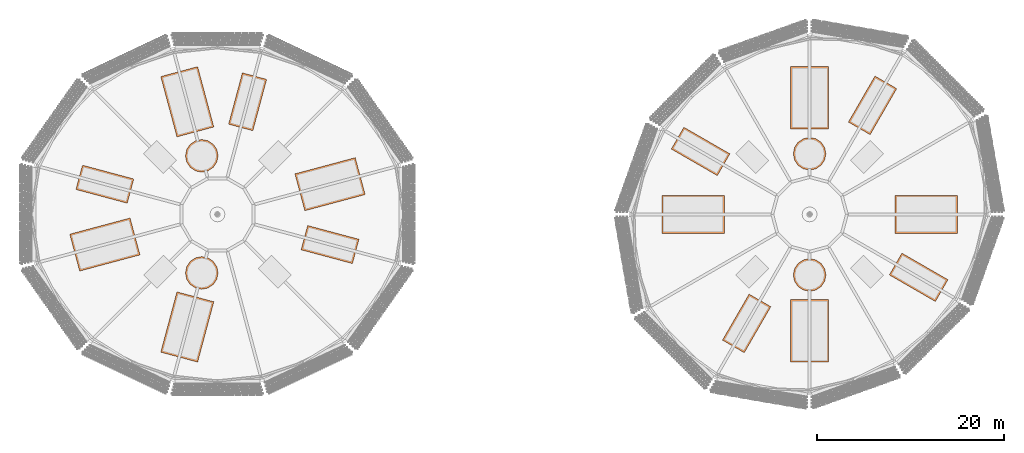
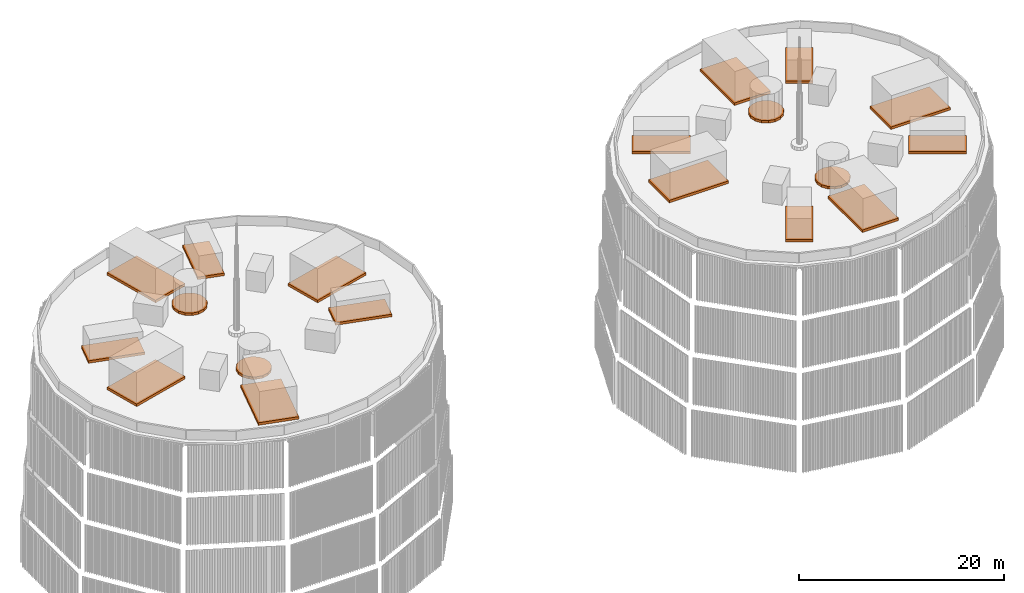
# One storey, part 24 of 24: 19 proxies.
"""IFC4 building model written with IfcOpenShell, lengths in metres."""

import ifcopenshell
import ifcopenshell.guid

model = None  # the IFC model being written
_history = None  # IfcOwnerHistory: only IFC2X3 demands one
_inside = {}  # id of a spatial element -> (the spatial element, [elements in it])
_under = {}  # id of a project, library or spatial element -> (it, [spatial elements below it])
_declared = {}  # id of a project -> (the project, [libraries it declares])
_typed = {}  # id of a type object -> (the type object, [elements of that type])
_made_of = {}  # id of a material, layer set ... -> (it, [elements and type objects made of it])


def new_model(schema):
    """Start an empty IFC model of exactly this schema.

    Asked for "IFC4X3", IfcOpenShell would pick the latest addendum, in which some entities
    have other attributes; the version numbers below select the first issue.
    IFC2X3 requires an IfcOwnerHistory on every rooted entity: one is made here for all.
    """
    global model, _history
    if schema == "IFC4X3":
        model = ifcopenshell.file(schema_version=(4, 3, 0, 0))
    else:
        model = ifcopenshell.file(schema=schema)
    _inside.clear()
    _under.clear()
    _declared.clear()
    _typed.clear()
    _made_of.clear()
    _history = None
    if model.schema == "IFC2X3":
        org = make("IfcOrganization", Name="unknown")
        user = make(
            "IfcPersonAndOrganization",
            ThePerson=make("IfcPerson", FamilyName="unknown"),
            TheOrganization=org,
        )
        app = make(
            "IfcApplication",
            ApplicationDeveloper=org,
            Version="unknown",
            ApplicationFullName="unknown",
            ApplicationIdentifier="unknown",
        )
        _history = make(
            "IfcOwnerHistory",
            OwningUser=user,
            OwningApplication=app,
            ChangeAction="ADDED",
            CreationDate=0,
        )
    return model


def make(cls, **values):
    """One entity of the class cls with the attributes given. An attribute that is None is left unset."""
    return model.create_entity(
        cls, **{name: value for name, value in values.items() if value is not None}
    )


def rooted(cls, **values):
    """An entity with a GlobalId (a new one), such as an element, a storey or a relation."""
    return make(cls, GlobalId=ifcopenshell.guid.new(), OwnerHistory=_history, **values)


def si_unit(unit_type, name, prefix=None):
    """IfcSIUnit, for example si_unit("LENGTHUNIT", "METRE", prefix="MILLI")."""
    return make("IfcSIUnit", UnitType=unit_type, Prefix=prefix, Name=name)


def assignment(units):
    """IfcUnitAssignment: the units of a project."""
    return None if units is None else make("IfcUnitAssignment", Units=units)


def point(xyz):
    """IfcCartesianPoint."""
    return None if xyz is None else make("IfcCartesianPoint", Coordinates=xyz)


def direction(xyz):
    """IfcDirection."""
    return None if xyz is None else make("IfcDirection", DirectionRatios=xyz)


def frame(location, z_axis=None, x_axis=None):
    """IfcAxis2Placement3D, a coordinate frame: its origin and axes. An axis left out is left unset."""
    return make(
        "IfcAxis2Placement3D",
        Location=point(location),
        Axis=direction(z_axis),
        RefDirection=direction(x_axis),
    )


def origin():
    """The frame at (0, 0, 0) with its axes left unset."""
    return frame((0.0, 0.0, 0.0))


def place(relative_to, where):
    """IfcLocalPlacement: puts the frame where relative to a parent placement (None: the world)."""
    return make(
        "IfcLocalPlacement", PlacementRelTo=relative_to, RelativePlacement=where
    )


def context(
    kind, dimensions, precision=None, world=None, true_north=None, identifier=None
):
    """IfcGeometricRepresentationContext, for example the 3D "Model" context."""
    return make(
        "IfcGeometricRepresentationContext",
        ContextIdentifier=identifier,
        ContextType=kind,
        CoordinateSpaceDimension=dimensions,
        Precision=precision,
        WorldCoordinateSystem=world,
        TrueNorth=true_north,
    )


def subcontext(parent, identifier, kind, view, scale=None):
    """IfcGeometricRepresentationSubContext, for example "Body" below "Model"."""
    return make(
        "IfcGeometricRepresentationSubContext",
        ContextIdentifier=identifier,
        ContextType=kind,
        ParentContext=parent,
        TargetScale=scale,
        TargetView=view,
    )


def project(units=None, contexts=None):
    """IfcProject with its units and contexts."""
    return rooted(
        "IfcProject",
        Name="project",
        RepresentationContexts=contexts,
        UnitsInContext=assignment(units),
    )


def spatial(cls, under=None, at=None, **own):
    """A site, building, storey or space (cls), placed at a placement, below another one or the project."""
    s = rooted(cls, ObjectPlacement=at, **own)
    if under is not None:
        _under.setdefault(under.id(), (under, []))[1].append(s)
    return s


def polyline(points):
    """IfcPolyline through the points."""
    return make("IfcPolyline", Points=[point(p) for p in points])


def outline(outer, holes=None, kind="AREA"):
    """IfcArbitraryClosedProfileDef: a profile drawn as a closed curve; with holes, ...WithVoids."""
    if holes is None:
        return make("IfcArbitraryClosedProfileDef", ProfileType=kind, OuterCurve=outer)
    return make(
        "IfcArbitraryProfileDefWithVoids",
        ProfileType=kind,
        OuterCurve=outer,
        InnerCurves=holes,
    )


def extrude(swept, where, along, depth):
    """IfcExtrudedAreaSolid: the profile swept, set in the frame where, extruded along a direction by depth."""
    return make(
        "IfcExtrudedAreaSolid",
        SweptArea=swept,
        Position=where,
        ExtrudedDirection=direction(along),
        Depth=depth,
    )


def shape(context_of_items, identifier, shape_type, items):
    """IfcShapeRepresentation: the items that make up one representation, for example the "Body"."""
    return make(
        "IfcShapeRepresentation",
        ContextOfItems=context_of_items,
        RepresentationIdentifier=identifier,
        RepresentationType=shape_type,
        Items=items,
    )


def material(Name=None, Category=None):
    """IfcMaterial."""
    return make("IfcMaterial", Name=Name, Category=Category)


def made_of(thing, what):
    """Note that an element or type object is made of a material, layer set ...; save() writes the relation."""
    if what is not None:
        _made_of.setdefault(what.id(), (what, []))[1].append(thing)
    return thing


def type_object(cls, material=None, **own):
    """A type object (cls), such as IfcWallType, which elements share."""
    return made_of(rooted(cls, **own), material)


def element(
    cls,
    number,
    at=None,
    inside=None,
    cuts=None,
    type_object=None,
    material=None,
    context=None,
    identifier="Body",
    shape_type=None,
    held_by="IfcProductDefinitionShape",
    body=None,
    shapes=None,
    **own,
):
    """One element of the class cls, such as IfcWall. Its Tag is "e" and its number.

    at: its placement. inside: the storey or other place that contains it. cuts: it is an
    opening in that element (IfcRelVoidsElement). A single representation is given by context,
    identifier, shape_type and body (its items); several are given by shapes. held_by: the class
    of the entity that holds the representations. save() writes the other relations.
    """
    e = rooted(cls, Tag="e%d" % number, ObjectPlacement=at, **own)
    if body is not None:
        shapes = [shape(context, identifier, shape_type, body)]
    if shapes is not None:
        e.Representation = make(held_by, Representations=shapes)
    if inside is not None:
        _inside.setdefault(inside.id(), (inside, []))[1].append(e)
    if cuts is not None:
        rooted(
            "IfcRelVoidsElement", RelatingBuildingElement=cuts, RelatedOpeningElement=e
        )
    if type_object is not None:
        _typed.setdefault(type_object.id(), (type_object, []))[1].append(e)
    return made_of(e, material)


def aggregate(whole, parts):
    """IfcRelAggregates: a whole, such as a stair, and the parts it consists of."""
    return rooted("IfcRelAggregates", RelatingObject=whole, RelatedObjects=parts)


def save(model, path):
    """Write the relations noted so far, then the file.

    IfcRelAggregates (storeys below a building ...), IfcRelContainedInSpatialStructure (elements
    in a storey), IfcRelDefinesByType, IfcRelAssociatesMaterial and IfcRelDeclares: one each for
    every whole, place, type object, material and project.
    """
    for whole, parts in _under.values():
        aggregate(whole, parts)
    for where, things in _inside.values():
        rooted(
            "IfcRelContainedInSpatialStructure",
            RelatedElements=things,
            RelatingStructure=where,
        )
    for kind, things in _typed.values():
        rooted("IfcRelDefinesByType", RelatedObjects=things, RelatingType=kind)
    for what, things in _made_of.values():
        rooted("IfcRelAssociatesMaterial", RelatedObjects=things, RelatingMaterial=what)
    for by, libraries in _declared.values():
        rooted("IfcRelDeclares", RelatingContext=by, RelatedDefinitions=libraries)
    model.write(path)


model = new_model("IFC4")

# Units and contexts
model_context = context("Model", 3, precision=1e-05, world=origin(), true_north=direction((0.0, 1.0)))
body_context = subcontext(model_context, "Body", "Model", "MODEL_VIEW")
ifc_project = project(units=[si_unit("LENGTHUNIT", "METRE"), si_unit("AREAUNIT", "SQUARE_METRE"), si_unit("VOLUMEUNIT", "CUBIC_METRE"), si_unit("PLANEANGLEUNIT", "RADIAN"), si_unit("MASSUNIT", "GRAM", prefix="KILO")], contexts=[model_context])

# Site, building, storey
site_placement = place(None, origin())
site = spatial("IfcSite", under=ifc_project, at=site_placement, CompositionType="ELEMENT")
building_placement = place(site_placement, origin())
building = spatial("IfcBuilding", under=site, at=building_placement, Name="Rimbun Link Towers", CompositionType="ELEMENT")
storey_placement = place(building_placement, frame((0.0, 0.0, 294.89990234375)))
storey = spatial("IfcBuildingStorey", under=building, at=storey_placement, Name="Roof cap", CompositionType="ELEMENT", Elevation=294.89990234375)

# Proxies
ifc_material = material(Name="Concrete C40/50", Category="concrete")
building_element_proxy_type = type_object("IfcBuildingElementProxyType", Name="PLANT PLINTH concrete 300", PredefinedType="USERDEFINED", material=ifc_material)
proxy_1_placement = place(storey_placement, frame((0.0, 0.0, 0.7001953125)))
element("IfcBuildingElementProxy", 1, at=proxy_1_placement, inside=storey, type_object=building_element_proxy_type, Name="ROOF PLANT plinth", ObjectType="PLANT PLINTH", PredefinedType="USERDEFINED", context=body_context, shape_type="SweptSolid", body=[
    extrude(outline(polyline([(-32.137939453125, 9.368896484375), (-33.8720703125, 15.840576171875), (-37.83251953125, 14.779296875), (-36.098388671875, 8.3076171875), (-32.137939453125, 9.368896484375)])), origin(), (0.0, 0.0, 1.0), 0.2998046875),
])
proxy_2_placement = place(storey_placement, frame((0.0, 0.0, 0.7001953125)))
element("IfcBuildingElementProxy", 2, at=proxy_2_placement, inside=storey, type_object=building_element_proxy_type, Name="ROOF PLANT plinth", ObjectType="PLANT PLINTH", PredefinedType="USERDEFINED", context=body_context, shape_type="SweptSolid", body=[
    extrude(outline(polyline([(-27.948486328125, 8.9716796875), (-26.47314453125, 14.4775390625), (-29.0810546875, 15.17626953125), (-30.556396484375, 9.670654296875), (-27.948486328125, 8.9716796875)])), origin(), (0.0, 0.0, 1.0), 0.2998046875),
])
proxy_3_placement = place(storey_placement, frame((0.0, 0.0, 0.7001953125)))
element("IfcBuildingElementProxy", 3, at=proxy_3_placement, inside=storey, type_object=building_element_proxy_type, Name="ROOF PLANT plinth", ObjectType="PLANT PLINTH", PredefinedType="USERDEFINED", context=body_context, shape_type="SweptSolid", body=[
    extrude(outline(polyline([(-31.682373046875, 6.278564453125), (-31.8154296875, 6.9482421875), (-32.19482421875, 7.51611328125), (-32.7626953125, 7.895263671875), (-33.432373046875, 8.028564453125), (-34.10205078125, 7.895263671875), (-34.669921875, 7.51611328125), (-35.049072265625, 6.9482421875), (-35.182373046875, 6.278564453125), (-35.049072265625, 5.60888671875), (-34.669921875, 5.041015625), (-34.10205078125, 4.66162109375), (-33.432373046875, 4.528564453125), (-32.7626953125, 4.66162109375), (-32.19482421875, 5.041015625), (-31.8154296875, 5.60888671875), (-31.682373046875, 6.278564453125)])), origin(), (0.0, 0.0, 1.0), 0.2998046875),
])
proxy_4_placement = place(storey_placement, frame((0.0, 0.0, 0.7001953125)))
element("IfcBuildingElementProxy", 4, at=proxy_4_placement, inside=storey, type_object=building_element_proxy_type, Name="ROOF PLANT plinth", ObjectType="PLANT PLINTH", PredefinedType="USERDEFINED", context=body_context, shape_type="SweptSolid", body=[
    extrude(outline(polyline([(-41.118896484375, -0.387939453125), (-47.590576171875, -2.1220703125), (-46.529296875, -6.08251953125), (-40.0576171875, -4.348388671875), (-41.118896484375, -0.387939453125)])), origin(), (0.0, 0.0, 1.0), 0.2998046875),
])
proxy_5_placement = place(storey_placement, frame((0.0, 0.0, 0.7001953125)))
element("IfcBuildingElementProxy", 5, at=proxy_5_placement, inside=storey, type_object=building_element_proxy_type, Name="ROOF PLANT plinth", ObjectType="PLANT PLINTH", PredefinedType="USERDEFINED", context=body_context, shape_type="SweptSolid", body=[
    extrude(outline(polyline([(-40.7216796875, 3.801513671875), (-46.2275390625, 5.27685546875), (-46.92626953125, 2.6689453125), (-41.420654296875, 1.193603515625), (-40.7216796875, 3.801513671875)])), origin(), (0.0, 0.0, 1.0), 0.2998046875),
])
proxy_6_placement = place(storey_placement, frame((0.0, 0.0, 0.7001953125)))
element("IfcBuildingElementProxy", 6, at=proxy_6_placement, inside=storey, type_object=building_element_proxy_type, Name="ROOF PLANT plinth", ObjectType="PLANT PLINTH", PredefinedType="USERDEFINED", context=body_context, shape_type="SweptSolid", body=[
    extrude(outline(polyline([(-36.098388671875, -8.3076171875), (-37.83251953125, -14.779296875), (-33.8720703125, -15.840576171875), (-32.137939453125, -9.368896484375), (-36.098388671875, -8.3076171875)])), origin(), (0.0, 0.0, 1.0), 0.2998046875),
])
proxy_7_placement = place(storey_placement, frame((0.0, 0.0, 0.7001953125)))
element("IfcBuildingElementProxy", 7, at=proxy_7_placement, inside=storey, type_object=building_element_proxy_type, Name="ROOF PLANT plinth", ObjectType="PLANT PLINTH", PredefinedType="USERDEFINED", context=body_context, shape_type="SweptSolid", body=[
    extrude(outline(polyline([(-31.682373046875, -6.278564453125), (-31.8154296875, -5.60888671875), (-32.19482421875, -5.041015625), (-32.7626953125, -4.66162109375), (-33.432373046875, -4.528564453125), (-34.10205078125, -4.66162109375), (-34.669921875, -5.041015625), (-35.049072265625, -5.60888671875), (-35.182373046875, -6.278564453125), (-35.049072265625, -6.9482421875), (-34.669921875, -7.51611328125), (-34.10205078125, -7.895263671875), (-33.432373046875, -8.028564453125), (-32.7626953125, -7.895263671875), (-32.19482421875, -7.51611328125), (-31.8154296875, -6.9482421875), (-31.682373046875, -6.278564453125)])), origin(), (0.0, 0.0, 1.0), 0.2998046875),
])
proxy_8_placement = place(storey_placement, frame((0.0, 0.0, 0.7001953125)))
element("IfcBuildingElementProxy", 8, at=proxy_8_placement, inside=storey, type_object=building_element_proxy_type, Name="ROOF PLANT plinth", ObjectType="PLANT PLINTH", PredefinedType="USERDEFINED", context=body_context, shape_type="SweptSolid", body=[
    extrude(outline(polyline([(-22.381103515625, 0.387939453125), (-15.909423828125, 2.1220703125), (-16.970703125, 6.08251953125), (-23.4423828125, 4.348388671875), (-22.381103515625, 0.387939453125)])), origin(), (0.0, 0.0, 1.0), 0.2998046875),
])
proxy_9_placement = place(storey_placement, frame((0.0, 0.0, 0.7001953125)))
element("IfcBuildingElementProxy", 9, at=proxy_9_placement, inside=storey, type_object=building_element_proxy_type, Name="ROOF PLANT plinth", ObjectType="PLANT PLINTH", PredefinedType="USERDEFINED", context=body_context, shape_type="SweptSolid", body=[
    extrude(outline(polyline([(-22.7783203125, -3.801513671875), (-17.2724609375, -5.27685546875), (-16.57373046875, -2.6689453125), (-22.079345703125, -1.193603515625), (-22.7783203125, -3.801513671875)])), origin(), (0.0, 0.0, 1.0), 0.2998046875),
])
proxy_10_placement = place(storey_placement, frame((0.0, 0.0, 0.7001953125)))
element("IfcBuildingElementProxy", 10, at=proxy_10_placement, inside=storey, type_object=building_element_proxy_type, Name="ROOF PLANT plinth", ObjectType="PLANT PLINTH", PredefinedType="USERDEFINED", context=body_context, shape_type="SweptSolid", body=[
    extrude(outline(polyline([(33.800048828125, 9.14990234375), (33.800048828125, 15.85009765625), (29.699951171875, 15.85009765625), (29.699951171875, 9.14990234375), (33.800048828125, 9.14990234375)])), origin(), (0.0, 0.0, 1.0), 0.2998046875),
])
proxy_11_placement = place(storey_placement, frame((0.0, 0.0, 0.7001953125)))
element("IfcBuildingElementProxy", 11, at=proxy_11_placement, inside=storey, type_object=building_element_proxy_type, Name="ROOF PLANT plinth", ObjectType="PLANT PLINTH", PredefinedType="USERDEFINED", context=body_context, shape_type="SweptSolid", body=[
    extrude(outline(polyline([(38.244140625, 8.548095703125), (41.09423828125, 13.484619140625), (38.755859375, 14.83447265625), (35.90576171875, 9.898193359375), (38.244140625, 8.548095703125)])), origin(), (0.0, 0.0, 1.0), 0.2998046875),
])
proxy_12_placement = place(storey_placement, frame((0.0, 0.0, 0.7001953125)))
element("IfcBuildingElementProxy", 12, at=proxy_12_placement, inside=storey, type_object=building_element_proxy_type, Name="ROOF PLANT plinth", ObjectType="PLANT PLINTH", PredefinedType="USERDEFINED", context=body_context, shape_type="SweptSolid", body=[
    extrude(outline(polyline([(33.5, 6.5), (33.36669921875, 7.169677734375), (32.9873046875, 7.7373046875), (32.419677734375, 8.11669921875), (31.75, 8.25), (31.080322265625, 8.11669921875), (30.5126953125, 7.7373046875), (30.13330078125, 7.169677734375), (30.0, 6.5), (30.13330078125, 5.830322265625), (30.5126953125, 5.2626953125), (31.080322265625, 4.88330078125), (31.75, 4.75), (32.419677734375, 4.88330078125), (32.9873046875, 5.2626953125), (33.36669921875, 5.830322265625), (33.5, 6.5)])), origin(), (0.0, 0.0, 1.0), 0.2998046875),
])
proxy_13_placement = place(storey_placement, frame((0.0, 0.0, 0.7001953125)))
element("IfcBuildingElementProxy", 13, at=proxy_13_placement, inside=storey, type_object=building_element_proxy_type, Name="ROOF PLANT plinth", ObjectType="PLANT PLINTH", PredefinedType="USERDEFINED", context=body_context, shape_type="SweptSolid", body=[
    extrude(outline(polyline([(22.60009765625, 2.050048828125), (15.89990234375, 2.050048828125), (15.89990234375, -2.050048828125), (22.60009765625, -2.050048828125), (22.60009765625, 2.050048828125)])), origin(), (0.0, 0.0, 1.0), 0.2998046875),
])
proxy_14_placement = place(storey_placement, frame((0.0, 0.0, 0.7001953125)))
element("IfcBuildingElementProxy", 14, at=proxy_14_placement, inside=storey, type_object=building_element_proxy_type, Name="ROOF PLANT plinth", ObjectType="PLANT PLINTH", PredefinedType="USERDEFINED", context=body_context, shape_type="SweptSolid", body=[
    extrude(outline(polyline([(23.201904296875, 6.494140625), (18.265380859375, 9.34423828125), (16.91552734375, 7.005859375), (21.851806640625, 4.15576171875), (23.201904296875, 6.494140625)])), origin(), (0.0, 0.0, 1.0), 0.2998046875),
])
proxy_15_placement = place(storey_placement, frame((0.0, 0.0, 0.7001953125)))
element("IfcBuildingElementProxy", 15, at=proxy_15_placement, inside=storey, type_object=building_element_proxy_type, Name="ROOF PLANT plinth", ObjectType="PLANT PLINTH", PredefinedType="USERDEFINED", context=body_context, shape_type="SweptSolid", body=[
    extrude(outline(polyline([(29.699951171875, -9.14990234375), (29.699951171875, -15.85009765625), (33.800048828125, -15.85009765625), (33.800048828125, -9.14990234375), (29.699951171875, -9.14990234375)])), origin(), (0.0, 0.0, 1.0), 0.2998046875),
])
proxy_16_placement = place(storey_placement, frame((0.0, 0.0, 0.7001953125)))
element("IfcBuildingElementProxy", 16, at=proxy_16_placement, inside=storey, type_object=building_element_proxy_type, Name="ROOF PLANT plinth", ObjectType="PLANT PLINTH", PredefinedType="USERDEFINED", context=body_context, shape_type="SweptSolid", body=[
    extrude(outline(polyline([(25.255859375, -8.548095703125), (22.40576171875, -13.484619140625), (24.744140625, -14.83447265625), (27.59423828125, -9.898193359375), (25.255859375, -8.548095703125)])), origin(), (0.0, 0.0, 1.0), 0.2998046875),
])
proxy_17_placement = place(storey_placement, frame((0.0, 0.0, 0.7001953125)))
element("IfcBuildingElementProxy", 17, at=proxy_17_placement, inside=storey, type_object=building_element_proxy_type, Name="ROOF PLANT plinth", ObjectType="PLANT PLINTH", PredefinedType="USERDEFINED", context=body_context, shape_type="SweptSolid", body=[
    extrude(outline(polyline([(33.5, -6.5), (33.36669921875, -5.830322265625), (32.9873046875, -5.2626953125), (32.419677734375, -4.88330078125), (31.75, -4.75), (31.080322265625, -4.88330078125), (30.5126953125, -5.2626953125), (30.13330078125, -5.830322265625), (30.0, -6.5), (30.13330078125, -7.169677734375), (30.5126953125, -7.7373046875), (31.080322265625, -8.11669921875), (31.75, -8.25), (32.419677734375, -8.11669921875), (32.9873046875, -7.7373046875), (33.36669921875, -7.169677734375), (33.5, -6.5)])), origin(), (0.0, 0.0, 1.0), 0.2998046875),
])
proxy_18_placement = place(storey_placement, frame((0.0, 0.0, 0.7001953125)))
element("IfcBuildingElementProxy", 18, at=proxy_18_placement, inside=storey, type_object=building_element_proxy_type, Name="ROOF PLANT plinth", ObjectType="PLANT PLINTH", PredefinedType="USERDEFINED", context=body_context, shape_type="SweptSolid", body=[
    extrude(outline(polyline([(40.89990234375, -2.050048828125), (47.60009765625, -2.050048828125), (47.60009765625, 2.050048828125), (40.89990234375, 2.050048828125), (40.89990234375, -2.050048828125)])), origin(), (0.0, 0.0, 1.0), 0.2998046875),
])
proxy_19_placement = place(storey_placement, frame((0.0, 0.0, 0.7001953125)))
element("IfcBuildingElementProxy", 19, at=proxy_19_placement, inside=storey, type_object=building_element_proxy_type, Name="ROOF PLANT plinth", ObjectType="PLANT PLINTH", PredefinedType="USERDEFINED", context=body_context, shape_type="SweptSolid", body=[
    extrude(outline(polyline([(40.298095703125, -6.494140625), (45.234619140625, -9.34423828125), (46.58447265625, -7.005859375), (41.648193359375, -4.15576171875), (40.298095703125, -6.494140625)])), origin(), (0.0, 0.0, 1.0), 0.2998046875),
])

save(model, "model.ifc")
